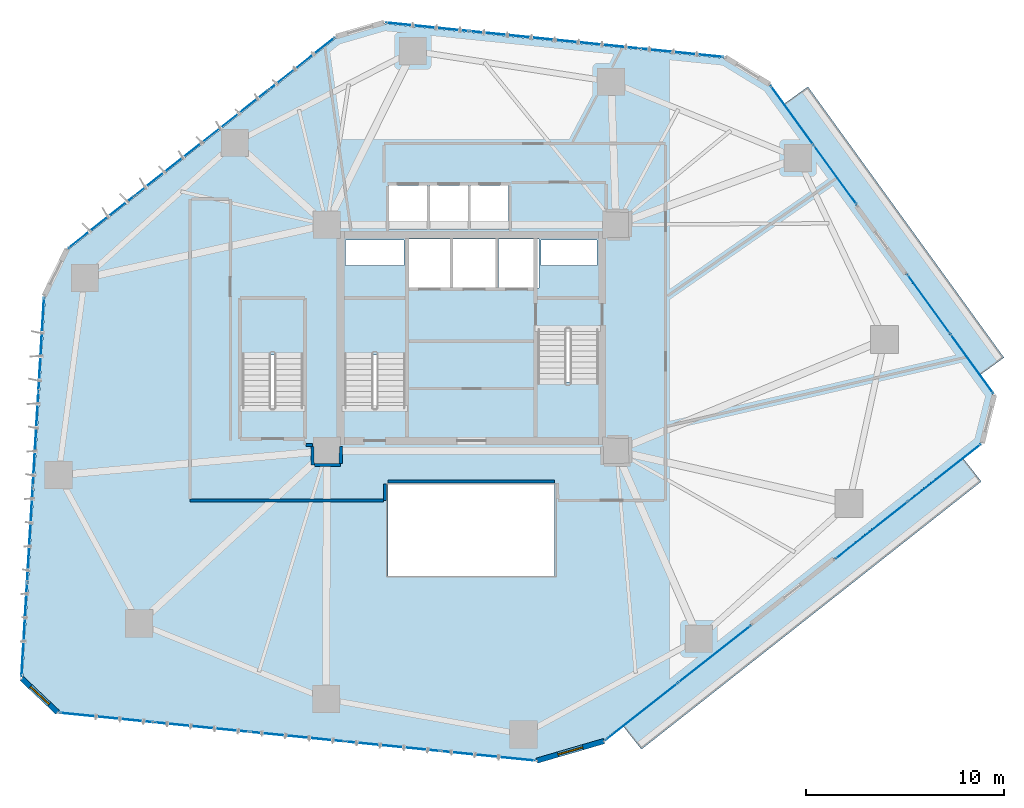
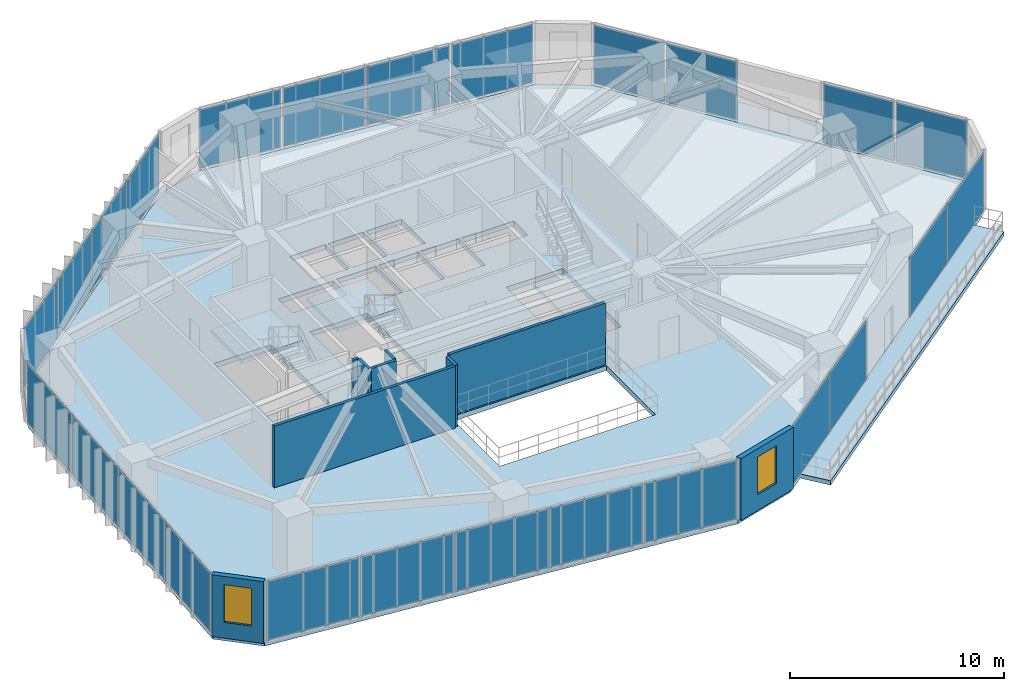
# One storey, part 18 of 24: 25 plates, 9 walls, 6 slabs, 2 windows, 2 openings, 11 elements without a shape of their own.
"""IFC4 building model written with IfcOpenShell, lengths in metres."""

from ifc_helpers import new_model, si_unit, direction, frame, frame_2d, origin, origin_2d, place, context, subcontext, project, spatial, polyline, rectangle, outline, extrude, source, transform, mapped, material, layer, layer_set, type_object, type_shapes, element, fill, aggregate, save


model = new_model("IFC4")

# Units and contexts
model_context = context("Model", 3, precision=1e-05, world=origin(), true_north=direction((0.0, 1.0)))
body_context = subcontext(model_context, "Body", "Model", "MODEL_VIEW")
ifc_project = project(units=[si_unit("LENGTHUNIT", "METRE"), si_unit("AREAUNIT", "SQUARE_METRE"), si_unit("VOLUMEUNIT", "CUBIC_METRE"), si_unit("PLANEANGLEUNIT", "RADIAN"), si_unit("MASSUNIT", "GRAM", prefix="KILO")], contexts=[model_context])

# Site, building, storey
site_placement = place(None, origin())
site = spatial("IfcSite", under=ifc_project, at=site_placement, CompositionType="ELEMENT")
building_placement = place(site_placement, origin())
building = spatial("IfcBuilding", under=site, at=building_placement, Name="Talar Marvaseh", CompositionType="ELEMENT")
storey_placement = place(building_placement, frame((0.0, 0.0, 73.39990234375)))
storey = spatial("IfcBuildingStorey", under=building, at=storey_placement, Name="L18", CompositionType="ELEMENT", Elevation=73.39990234375)

# Slabs
ifc_material_1 = material(Name="Concrete C40/50", Category="concrete")
ifc_layer_1 = layer(ifc_material_1, 0.2451171875)
ifc_layer_set_1 = layer_set([ifc_layer_1], Name="Concrete C40/50")
slab_type_1 = type_object("IfcSlabType", Name="External Cantilevered Planted Terrace Slab 245", PredefinedType="FLOOR", material=ifc_layer_set_1)
slab_1_placement = place(storey_placement, frame((0.0, 0.0, -0.244873046875)))
element("IfcSlab", 1, at=slab_1_placement, inside=storey, type_object=slab_type_1, Name="L18 Planted Balcony Terrace 1", PredefinedType="FLOOR", context=body_context, shape_type="SweptSolid", body=[
    extrude(outline(polyline([(41.716064453125, 42.957275390625), (51.60693359375, 29.29541015625), (52.862548828125, 30.204345703125), (42.9716796875, 43.8662109375), (41.716064453125, 42.957275390625)])), origin(), (0.0, 0.0, 1.0), 0.244873046875),
])
slab_2_placement = place(storey_placement, frame((0.0, 0.0, -0.244873046875)))
element("IfcSlab", 2, at=slab_2_placement, inside=storey, type_object=slab_type_1, Name="L18 Planted Balcony Terrace 2", PredefinedType="FLOOR", context=body_context, shape_type="SweptSolid", body=[
    extrude(outline(polyline([(50.760009765625, 25.172119140625), (33.616943359375, 11.662109375), (34.576416015625, 10.444580078125), (51.71923828125, 23.95458984375), (50.760009765625, 25.172119140625)])), origin(), (0.0, 0.0, 1.0), 0.244873046875),
])

# Stair, slab
stair_type = type_object("IfcStairType", Name="Reinforced Concrete Half-Turn Exit Stair Type B", PredefinedType="HALF_TURN_STAIR", material=ifc_material_1)
stair_1_placement = place(storey_placement, origin())
stair_1 = element("IfcStair", 3, at=stair_1_placement, inside=storey, type_object=stair_type, Name="L18 Tower West Core Exit Stair", PredefinedType="HALF_TURN_STAIR")
ifc_layer_2 = layer(ifc_material_1, 0.199951171875)
ifc_layer_set_2 = layer_set([ifc_layer_2], Name="Concrete C40/50")
slab_type_2 = type_object("IfcSlabType", Name="Reinforced Concrete Stair Half-Landing Slab 200", PredefinedType="LANDING", material=ifc_layer_set_2)
slab_3_placement = place(storey_placement, frame((0.0, 0.0, 1.7001953125)))
slab_3 = element("IfcSlab", 4, at=slab_3_placement, type_object=slab_type_2, Name="ST-1 landing 1", PredefinedType="LANDING", context=body_context, shape_type="SweptSolid", body=[
    extrude(outline(polyline([(22.780029296875, 30.330078125), (22.780029296875, 33.219970703125), (19.47998046875, 33.219970703125), (19.47998046875, 30.330078125), (22.780029296875, 30.330078125)])), origin(), (0.0, 0.0, 1.0), 0.199951171875),
])
aggregate(stair_1, [slab_3])

stair_2_placement = place(storey_placement, origin())
stair_2 = element("IfcStair", 5, at=stair_2_placement, inside=storey, type_object=stair_type, Name="L18 Tower East Core Exit Stair", PredefinedType="HALF_TURN_STAIR")
slab_4_placement = place(storey_placement, frame((0.0, 0.0, 1.7001953125)))
slab_4 = element("IfcSlab", 6, at=slab_4_placement, type_object=slab_type_2, Name="ST-2 landing 1", PredefinedType="LANDING", context=body_context, shape_type="SweptSolid", body=[
    extrude(outline(polyline([(29.219970703125, 28.969970703125), (29.219970703125, 26.080078125), (32.52001953125, 26.080078125), (32.52001953125, 28.969970703125), (29.219970703125, 28.969970703125)])), origin(), (0.0, 0.0, 1.0), 0.199951171875),
])
aggregate(stair_2, [slab_4])

stair_3_placement = place(storey_placement, origin())
stair_3 = element("IfcStair", 7, at=stair_3_placement, inside=storey, type_object=stair_type, Name="L18 Museum & Podium Auxiliary Exit Stair", PredefinedType="HALF_TURN_STAIR")
slab_5_placement = place(storey_placement, frame((0.0, 0.0, 1.7001953125)))
slab_5 = element("IfcSlab", 8, at=slab_5_placement, type_object=slab_type_2, Name="ST-3 landing 1", PredefinedType="LANDING", context=body_context, shape_type="SweptSolid", body=[
    extrude(outline(polyline([(17.6201171875, 30.330078125), (17.6201171875, 33.219970703125), (14.320068359375, 33.219970703125), (14.320068359375, 30.330078125), (17.6201171875, 30.330078125)])), origin(), (0.0, 0.0, 1.0), 0.199951171875),
])
aggregate(stair_3, [slab_5])

# Slab
ifc_layer_3 = layer(ifc_material_1, 0.280029296875)
ifc_layer_set_3 = layer_set([ifc_layer_3], Name="Concrete C40/50")
slab_type_3 = type_object("IfcSlabType", Name="Structural Suspended Floor Slab 280", PredefinedType="FLOOR", material=ifc_layer_set_3)
slab_6_placement = place(storey_placement, frame((0.0, 0.0, -0.27978515625)))
element("IfcSlab", 9, at=slab_6_placement, inside=storey, type_object=slab_type_3, Name="L18 Tower Floor Slab", PredefinedType="FLOOR", context=body_context, shape_type="SweptSolid", body=[
    extrude(outline(polyline([(5.174560546875, 12.353271484375), (3.367431640625, 14.0576171875), (4.51123046875, 33.2900390625), (5.666259765625, 35.6455078125), (19.198486328125, 46.33935546875), (21.614013671875, 47.04345703125), (38.772705078125, 45.295166015625), (41.012451171875, 43.92919921875), (52.310791015625, 28.323486328125), (51.702392578125, 25.914794921875), (32.67431640625, 10.919189453125), (29.27978515625, 9.9296875), (5.174560546875, 12.353271484375)]), holes=[polyline([(22.659912109375, 27.64990234375), (22.659912109375, 33.10009765625), (19.60009765625, 33.10009765625), (19.60009765625, 27.64990234375), (22.659912109375, 27.64990234375)]), polyline([(29.340087890625, 31.64990234375), (29.340087890625, 26.199951171875), (32.39990234375, 26.199951171875), (32.39990234375, 31.64990234375), (29.340087890625, 31.64990234375)]), polyline([(17.5, 27.64990234375), (17.5, 33.10009765625), (14.43994140625, 33.10009765625), (14.43994140625, 27.64990234375), (17.5, 27.64990234375)]), polyline([(22.800048828125, 33.719970703125), (24.93994140625, 33.719970703125), (24.93994140625, 36.179931640625), (22.800048828125, 36.179931640625), (22.800048828125, 33.719970703125)]), polyline([(25.080078125, 33.719970703125), (27.219970703125, 33.719970703125), (27.219970703125, 36.179931640625), (25.080078125, 36.179931640625), (25.080078125, 33.719970703125)]), polyline([(27.360107421875, 33.719970703125), (29.39990234375, 33.719970703125), (29.39990234375, 36.179931640625), (27.360107421875, 36.179931640625), (27.360107421875, 33.719970703125)]), polyline([(21.840087890625, 36.659912109375), (23.760009765625, 36.659912109375), (23.760009765625, 38.8798828125), (21.840087890625, 38.8798828125), (21.840087890625, 36.659912109375)]), polyline([(23.89990234375, 36.659912109375), (25.820068359375, 36.659912109375), (25.820068359375, 38.8798828125), (23.89990234375, 38.8798828125), (23.89990234375, 36.659912109375)]), polyline([(25.9599609375, 36.659912109375), (27.8798828125, 36.659912109375), (27.8798828125, 38.8798828125), (25.9599609375, 38.8798828125), (25.9599609375, 36.659912109375)]), polyline([(19.659912109375, 34.840087890625), (22.60009765625, 34.840087890625), (22.60009765625, 36.139892578125), (19.659912109375, 36.139892578125), (19.659912109375, 34.840087890625)]), polyline([(29.52001953125, 34.840087890625), (32.340087890625, 34.840087890625), (32.340087890625, 36.139892578125), (29.52001953125, 36.139892578125), (29.52001953125, 34.840087890625)]), polyline([(21.800048828125, 19.199951171875), (30.199951171875, 19.199951171875), (30.199951171875, 23.800048828125), (21.800048828125, 23.800048828125), (21.800048828125, 19.199951171875)])]), origin(), (0.0, 0.0, 1.0), 0.27978515625),
])

# Curtain wall, plates
ifc_material_2 = material(Name="Architectural Aluminium", Category="aluminium")
ifc_layer_4 = layer(ifc_material_2, 0.219970703125)
ifc_layer_set_4 = layer_set([ifc_layer_4], Name="Architectural Aluminium")
curtain_wall_type = type_object("IfcCurtainWallType", Name="Unitised Low-E Museum Curtain Wall Z1", PredefinedType="NOTDEFINED", material=ifc_layer_set_4)
curtain_wall_1_placement = place(storey_placement, origin())
curtain_wall_1 = element("IfcCurtainWall", 10, at=curtain_wall_1_placement, inside=storey, type_object=curtain_wall_type, Name="L18 Unitised Low-E Museum Curtain Wall Z1", PredefinedType="NOTDEFINED")
ifc_material_3 = material(Name="Laminated Low-E Solar Glass", Category="glass")
ifc_layer_5 = layer(ifc_material_3, 0.028076171875)
ifc_layer_set_5 = layer_set([ifc_layer_5], Name="Laminated Low-E Solar Glass")
plate_type = type_object("IfcPlateType", Name="Double-Glazed Low-E Vision Curtain Panel 28", PredefinedType="CURTAIN_PANEL", material=ifc_layer_set_5)
shared_shape_1 = source(origin(), body_context, "Body", "SweptSolid", [
    extrude(rectangle(XDim=4.696533203125, YDim=0.028076171875, at=origin_2d()), origin(), (0.0, 0.0, 1.0), 3.3701171875),
])
plate_1_placement = place(storey_placement, frame((3.45166015625, 16.4853515625, 0.074951171875), z_axis=(0.0, 0.0, 1.0), x_axis=(0.059372830241, 0.99823587745, 0.0)))
plate_1 = element("IfcPlate", 11, at=plate_1_placement, type_object=plate_type, Name="CW-Z1 panel 1.1", PredefinedType="CURTAIN_PANEL", context=body_context, shape_type="MappedRepresentation", body=[
    mapped(shared_shape_1, transform((0.0, 0.0, 0.0), x_axis=(1.0, 0.0, 0.0), y_axis=(0.0, 1.0, 0.0), z_axis=(0.0, 0.0, 1.0), scale=1.0)),
])
plate_2_placement = place(storey_placement, frame((4.30712890625, 30.86962890625, 0.074951171875), z_axis=(0.0, 0.0, 1.0), x_axis=(0.059372830241, 0.99823587745, 0.0)))
plate_2 = element("IfcPlate", 12, at=plate_2_placement, type_object=plate_type, Name="CW-Z1 panel 4.1", PredefinedType="CURTAIN_PANEL", context=body_context, shape_type="MappedRepresentation", body=[
    mapped(shared_shape_1, transform((0.0, 0.0, 0.0), x_axis=(1.0, 0.0, 0.0), y_axis=(0.0, 1.0, 0.0), z_axis=(0.0, 0.0, 1.0), scale=1.0)),
])
shared_shape_2 = source(origin(), body_context, "Body", "SweptSolid", [
    extrude(rectangle(XDim=4.736572265625, YDim=0.028076171875, at=origin_2d()), origin(), (0.0, 0.0, 1.0), 3.3701171875),
])
plate_3_placement = place(storey_placement, frame((3.736572265625, 21.2734375, 0.074951171875), z_axis=(0.0, 0.0, 1.0), x_axis=(0.059372830241, 0.99823587745, 0.0)))
plate_3 = element("IfcPlate", 13, at=plate_3_placement, type_object=plate_type, Name="CW-Z1 panel 2.1", PredefinedType="CURTAIN_PANEL", context=body_context, shape_type="MappedRepresentation", body=[
    mapped(shared_shape_2, transform((0.0, 0.0, 0.0), x_axis=(1.0, 0.0, 0.0), y_axis=(0.0, 1.0, 0.0), z_axis=(0.0, 0.0, 1.0), scale=1.0)),
])
plate_4_placement = place(storey_placement, frame((4.0224609375, 26.08154296875, 0.074951171875), z_axis=(0.0, 0.0, 1.0), x_axis=(0.059372830241, 0.99823587745, 0.0)))
plate_4 = element("IfcPlate", 14, at=plate_4_placement, type_object=plate_type, Name="CW-Z1 panel 3.1", PredefinedType="CURTAIN_PANEL", context=body_context, shape_type="MappedRepresentation", body=[
    mapped(shared_shape_2, transform((0.0, 0.0, 0.0), x_axis=(1.0, 0.0, 0.0), y_axis=(0.0, 1.0, 0.0), z_axis=(0.0, 0.0, 1.0), scale=1.0)),
])
aggregate(curtain_wall_1, [plate_1, plate_3, plate_4, plate_2])

curtain_wall_2_placement = place(storey_placement, origin())
curtain_wall_2 = element("IfcCurtainWall", 15, at=curtain_wall_2_placement, inside=storey, type_object=curtain_wall_type, Name="L18 Unitised Low-E Museum Curtain Wall Z1", PredefinedType="NOTDEFINED")
shared_shape_3 = source(origin(), body_context, "Body", "SweptSolid", [
    extrude(rectangle(XDim=4.19189453125, YDim=0.028076171875, at=origin_2d()), origin(), (0.0, 0.0, 1.0), 3.3701171875),
])
plate_5_placement = place(storey_placement, frame((7.33642578125, 37.041748046875, 0.074951171875), z_axis=(0.0, 0.0, 1.0), x_axis=(0.784584220857, 0.620022257974, 0.0)))
plate_5 = element("IfcPlate", 16, at=plate_5_placement, type_object=plate_type, Name="CW-Z1 panel 1.1", PredefinedType="CURTAIN_PANEL", context=body_context, shape_type="MappedRepresentation", body=[
    mapped(shared_shape_3, transform((0.0, 0.0, 0.0), x_axis=(1.0, 0.0, 0.0), y_axis=(0.0, 1.0, 0.0), z_axis=(0.0, 0.0, 1.0), scale=1.0)),
])
plate_6_placement = place(storey_placement, frame((17.4541015625, 45.037353515625, 0.074951171875), z_axis=(0.0, 0.0, 1.0), x_axis=(0.784584220857, 0.620022257974, 0.0)))
plate_6 = element("IfcPlate", 17, at=plate_6_placement, type_object=plate_type, Name="CW-Z1 panel 4.1", PredefinedType="CURTAIN_PANEL", context=body_context, shape_type="MappedRepresentation", body=[
    mapped(shared_shape_3, transform((0.0, 0.0, 0.0), x_axis=(1.0, 0.0, 0.0), y_axis=(0.0, 1.0, 0.0), z_axis=(0.0, 0.0, 1.0), scale=1.0)),
])

curtain_wall_3_placement = place(storey_placement, origin())
curtain_wall_3 = element("IfcCurtainWall", 18, at=curtain_wall_3_placement, inside=storey, type_object=curtain_wall_type, Name="L18 Unitised Low-E Museum Curtain Wall Z1", PredefinedType="NOTDEFINED")
plate_7_placement = place(storey_placement, frame((23.784912109375, 46.882568359375, 0.074951171875), z_axis=(0.0, 0.0, 1.0), x_axis=(0.994849283498, -0.101365196802, 0.0)))
plate_7 = element("IfcPlate", 19, at=plate_7_placement, type_object=plate_type, Name="CW-Z1 panel 1.1", PredefinedType="CURTAIN_PANEL", context=body_context, shape_type="MappedRepresentation", body=[
    mapped(shared_shape_3, transform((0.0, 0.0, 0.0), x_axis=(1.0, 0.0, 0.0), y_axis=(0.0, 1.0, 0.0), z_axis=(0.0, 0.0, 1.0), scale=1.0)),
])
plate_8_placement = place(storey_placement, frame((36.614013671875, 45.575439453125, 0.074951171875), z_axis=(0.0, 0.0, 1.0), x_axis=(0.994849283498, -0.101365196802, 0.0)))
plate_8 = element("IfcPlate", 20, at=plate_8_placement, type_object=plate_type, Name="CW-Z1 panel 4.1", PredefinedType="CURTAIN_PANEL", context=body_context, shape_type="MappedRepresentation", body=[
    mapped(shared_shape_3, transform((0.0, 0.0, 0.0), x_axis=(1.0, 0.0, 0.0), y_axis=(0.0, 1.0, 0.0), z_axis=(0.0, 0.0, 1.0), scale=1.0)),
])

# Plate
shared_shape_4 = source(origin(), body_context, "Body", "SweptSolid", [
    extrude(rectangle(XDim=4.23193359375, YDim=0.028076171875, at=origin_2d()), origin(), (0.0, 0.0, 1.0), 3.3701171875),
])
plate_9_placement = place(storey_placement, frame((10.70361328125, 39.702880859375, 0.074951171875), z_axis=(0.0, 0.0, 1.0), x_axis=(0.784584220857, 0.620022257974, 0.0)))
plate_9 = element("IfcPlate", 21, at=plate_9_placement, type_object=plate_type, Name="CW-Z1 panel 2.1", PredefinedType="CURTAIN_PANEL", context=body_context, shape_type="MappedRepresentation", body=[
    mapped(shared_shape_4, transform((0.0, 0.0, 0.0), x_axis=(1.0, 0.0, 0.0), y_axis=(0.0, 1.0, 0.0), z_axis=(0.0, 0.0, 1.0), scale=1.0)),
])

plate_10_placement = place(storey_placement, frame((14.086669921875, 42.376220703125, 0.074951171875), z_axis=(0.0, 0.0, 1.0), x_axis=(0.784584220857, 0.620022257974, 0.0)))
plate_10 = element("IfcPlate", 22, at=plate_10_placement, type_object=plate_type, Name="CW-Z1 panel 3.1", PredefinedType="CURTAIN_PANEL", context=body_context, shape_type="MappedRepresentation", body=[
    mapped(shared_shape_4, transform((0.0, 0.0, 0.0), x_axis=(1.0, 0.0, 0.0), y_axis=(0.0, 1.0, 0.0), z_axis=(0.0, 0.0, 1.0), scale=1.0)),
])

aggregate(curtain_wall_2, [plate_5, plate_9, plate_10, plate_6])

plate_11_placement = place(storey_placement, frame((28.0546875, 46.447509765625, 0.074951171875), z_axis=(0.0, 0.0, 1.0), x_axis=(0.994849283498, -0.101365196802, 0.0)))
plate_11 = element("IfcPlate", 23, at=plate_11_placement, type_object=plate_type, Name="CW-Z1 panel 2.1", PredefinedType="CURTAIN_PANEL", context=body_context, shape_type="MappedRepresentation", body=[
    mapped(shared_shape_4, transform((0.0, 0.0, 0.0), x_axis=(1.0, 0.0, 0.0), y_axis=(0.0, 1.0, 0.0), z_axis=(0.0, 0.0, 1.0), scale=1.0)),
])

plate_12_placement = place(storey_placement, frame((32.34423828125, 46.010498046875, 0.074951171875), z_axis=(0.0, 0.0, 1.0), x_axis=(0.994849283498, -0.101365196802, 0.0)))
plate_12 = element("IfcPlate", 24, at=plate_12_placement, type_object=plate_type, Name="CW-Z1 panel 3.1", PredefinedType="CURTAIN_PANEL", context=body_context, shape_type="MappedRepresentation", body=[
    mapped(shared_shape_4, transform((0.0, 0.0, 0.0), x_axis=(1.0, 0.0, 0.0), y_axis=(0.0, 1.0, 0.0), z_axis=(0.0, 0.0, 1.0), scale=1.0)),
])

aggregate(curtain_wall_3, [plate_7, plate_11, plate_12, plate_8])

# Curtain wall, plates
curtain_wall_4_placement = place(storey_placement, origin())
curtain_wall_4 = element("IfcCurtainWall", 25, at=curtain_wall_4_placement, inside=storey, type_object=curtain_wall_type, Name="L18 Unitised Low-E Museum Curtain Wall Z1", PredefinedType="NOTDEFINED")
shared_shape_5 = source(origin(), body_context, "Body", "SweptSolid", [
    extrude(rectangle(XDim=4.725341796875, YDim=0.028076171875, at=origin_2d()), origin(), (0.0, 0.0, 1.0), 3.3701171875),
])
plate_13_placement = place(storey_placement, frame((26.84326171875, 10.114501953125, 0.074951171875), z_axis=(0.0, 0.0, 1.0), x_axis=(-0.994984002074, 0.100034172249, 0.0)))
plate_13 = element("IfcPlate", 26, at=plate_13_placement, type_object=plate_type, Name="CW-Z1 panel 1.1", PredefinedType="CURTAIN_PANEL", context=body_context, shape_type="MappedRepresentation", body=[
    mapped(shared_shape_5, transform((0.0, 0.0, 0.0), x_axis=(1.0, 0.0, 0.0), y_axis=(0.0, 1.0, 0.0), z_axis=(0.0, 0.0, 1.0), scale=1.0)),
])
plate_14_placement = place(storey_placement, frame((7.598876953125, 12.04931640625, 0.074951171875), z_axis=(0.0, 0.0, 1.0), x_axis=(-0.994984002074, 0.100034172249, 0.0)))
plate_14 = element("IfcPlate", 27, at=plate_14_placement, type_object=plate_type, Name="CW-Z1 panel 5.1", PredefinedType="CURTAIN_PANEL", context=body_context, shape_type="MappedRepresentation", body=[
    mapped(shared_shape_5, transform((0.0, 0.0, 0.0), x_axis=(1.0, 0.0, 0.0), y_axis=(0.0, 1.0, 0.0), z_axis=(0.0, 0.0, 1.0), scale=1.0)),
])
shared_shape_6 = source(origin(), body_context, "Body", "SweptSolid", [
    extrude(rectangle(XDim=4.765380859375, YDim=0.028076171875, at=origin_2d()), origin(), (0.0, 0.0, 1.0), 3.3701171875),
])
plate_15_placement = place(storey_placement, frame((22.042236328125, 10.59716796875, 0.074951171875), z_axis=(0.0, 0.0, 1.0), x_axis=(-0.994984002074, 0.100034172249, 0.0)))
plate_15 = element("IfcPlate", 28, at=plate_15_placement, type_object=plate_type, Name="CW-Z1 panel 2.1", PredefinedType="CURTAIN_PANEL", context=body_context, shape_type="MappedRepresentation", body=[
    mapped(shared_shape_6, transform((0.0, 0.0, 0.0), x_axis=(1.0, 0.0, 0.0), y_axis=(0.0, 1.0, 0.0), z_axis=(0.0, 0.0, 1.0), scale=1.0)),
])
plate_16_placement = place(storey_placement, frame((17.22119140625, 11.081787109375, 0.074951171875), z_axis=(0.0, 0.0, 1.0), x_axis=(-0.994984002074, 0.100034172249, 0.0)))
plate_16 = element("IfcPlate", 29, at=plate_16_placement, type_object=plate_type, Name="CW-Z1 panel 3.1", PredefinedType="CURTAIN_PANEL", context=body_context, shape_type="MappedRepresentation", body=[
    mapped(shared_shape_6, transform((0.0, 0.0, 0.0), x_axis=(1.0, 0.0, 0.0), y_axis=(0.0, 1.0, 0.0), z_axis=(0.0, 0.0, 1.0), scale=1.0)),
])
plate_17_placement = place(storey_placement, frame((12.400146484375, 11.566650390625, 0.074951171875), z_axis=(0.0, 0.0, 1.0), x_axis=(-0.994984002074, 0.100034172249, 0.0)))
plate_17 = element("IfcPlate", 30, at=plate_17_placement, type_object=plate_type, Name="CW-Z1 panel 4.1", PredefinedType="CURTAIN_PANEL", context=body_context, shape_type="MappedRepresentation", body=[
    mapped(shared_shape_6, transform((0.0, 0.0, 0.0), x_axis=(1.0, 0.0, 0.0), y_axis=(0.0, 1.0, 0.0), z_axis=(0.0, 0.0, 1.0), scale=1.0)),
])
aggregate(curtain_wall_4, [plate_13, plate_15, plate_16, plate_17, plate_14])

curtain_wall_5_placement = place(storey_placement, origin())
curtain_wall_5 = element("IfcCurtainWall", 31, at=curtain_wall_5_placement, inside=storey, type_object=curtain_wall_type, Name="L18 Unitised Low-E Museum Curtain Wall Z1", PredefinedType="NOTDEFINED")
shared_shape_7 = source(origin(), body_context, "Body", "SweptSolid", [
    extrude(rectangle(XDim=3.636962890625, YDim=0.028076171875, at=origin_2d()), origin(), (0.0, 0.0, 1.0), 3.3701171875),
])
plate_18_placement = place(storey_placement, frame((42.17431640625, 42.426513671875, 0.074951171875), z_axis=(0.0, 0.0, 1.0), x_axis=(0.586420696458, -0.810006646124, 0.0)))
plate_18 = element("IfcPlate", 32, at=plate_18_placement, type_object=plate_type, Name="CW-Z1 panel 1.1", PredefinedType="CURTAIN_PANEL", context=body_context, shape_type="MappedRepresentation", body=[
    mapped(shared_shape_7, transform((0.0, 0.0, 0.0), x_axis=(1.0, 0.0, 0.0), y_axis=(0.0, 1.0, 0.0), z_axis=(0.0, 0.0, 1.0), scale=1.0)),
])
plate_19_placement = place(storey_placement, frame((44.35400390625, 39.415771484375, 0.074951171875), z_axis=(0.0, 0.0, 1.0), x_axis=(0.586420696458, -0.810006646124, 0.0)))
plate_19 = element("IfcPlate", 33, at=plate_19_placement, type_object=plate_type, Name="CW-Z1 panel 2.1", PredefinedType="CURTAIN_PANEL", context=body_context, shape_type="MappedRepresentation", body=[
    mapped(shared_shape_7, transform((0.0, 0.0, 0.0), x_axis=(1.0, 0.0, 0.0), y_axis=(0.0, 1.0, 0.0), z_axis=(0.0, 0.0, 1.0), scale=1.0)),
])
aggregate(curtain_wall_5, [plate_18, plate_19])

curtain_wall_6_placement = place(storey_placement, origin())
curtain_wall_6 = element("IfcCurtainWall", 34, at=curtain_wall_6_placement, inside=storey, type_object=curtain_wall_type, Name="L18 Unitised Low-E Museum Curtain Wall Z1", PredefinedType="NOTDEFINED")
plate_20_placement = place(storey_placement, frame((49.06640625, 32.9072265625, 0.074951171875), z_axis=(0.0, 0.0, 1.0), x_axis=(0.586420696458, -0.810006646124, 0.0)))
plate_20 = element("IfcPlate", 35, at=plate_20_placement, type_object=plate_type, Name="CW-Z1 panel 1.1", PredefinedType="CURTAIN_PANEL", context=body_context, shape_type="MappedRepresentation", body=[
    mapped(shared_shape_7, transform((0.0, 0.0, 0.0), x_axis=(1.0, 0.0, 0.0), y_axis=(0.0, 1.0, 0.0), z_axis=(0.0, 0.0, 1.0), scale=1.0)),
])
plate_21_placement = place(storey_placement, frame((51.24609375, 29.896484375, 0.074951171875), z_axis=(0.0, 0.0, 1.0), x_axis=(0.586420696458, -0.810006646124, 0.0)))
plate_21 = element("IfcPlate", 36, at=plate_21_placement, type_object=plate_type, Name="CW-Z1 panel 2.1", PredefinedType="CURTAIN_PANEL", context=body_context, shape_type="MappedRepresentation", body=[
    mapped(shared_shape_7, transform((0.0, 0.0, 0.0), x_axis=(1.0, 0.0, 0.0), y_axis=(0.0, 1.0, 0.0), z_axis=(0.0, 0.0, 1.0), scale=1.0)),
])
aggregate(curtain_wall_6, [plate_20, plate_21])

curtain_wall_7_placement = place(storey_placement, origin())
curtain_wall_7 = element("IfcCurtainWall", 37, at=curtain_wall_7_placement, inside=storey, type_object=curtain_wall_type, Name="L18 Unitised Low-E Museum Curtain Wall Z1", PredefinedType="NOTDEFINED")
shared_shape_8 = source(origin(), body_context, "Body", "SweptSolid", [
    extrude(rectangle(XDim=4.604248046875, YDim=0.028076171875, at=origin_2d()), origin(), (0.0, 0.0, 1.0), 3.3701171875),
])
type_shapes(plate_type, [shared_shape_1, shared_shape_2, shared_shape_3, shared_shape_4, shared_shape_5, shared_shape_6, shared_shape_7, shared_shape_8])
plate_22_placement = place(storey_placement, frame((49.86865234375, 24.393310546875, 0.074951171875), z_axis=(0.0, 0.0, 1.0), x_axis=(-0.785412932023, -0.618972153017, 0.0)))
plate_22 = element("IfcPlate", 38, at=plate_22_placement, type_object=plate_type, Name="CW-Z1 panel 1.1", PredefinedType="CURTAIN_PANEL", context=body_context, shape_type="MappedRepresentation", body=[
    mapped(shared_shape_8, transform((0.0, 0.0, 0.0), x_axis=(1.0, 0.0, 0.0), y_axis=(0.0, 1.0, 0.0), z_axis=(0.0, 0.0, 1.0), scale=1.0)),
])
plate_23_placement = place(storey_placement, frame((46.189453125, 21.493896484375, 0.074951171875), z_axis=(0.0, 0.0, 1.0), x_axis=(-0.785412932023, -0.618972153017, 0.0)))
plate_23 = element("IfcPlate", 39, at=plate_23_placement, type_object=plate_type, Name="CW-Z1 panel 2.1", PredefinedType="CURTAIN_PANEL", context=body_context, shape_type="MappedRepresentation", body=[
    mapped(shared_shape_8, transform((0.0, 0.0, 0.0), x_axis=(1.0, 0.0, 0.0), y_axis=(0.0, 1.0, 0.0), z_axis=(0.0, 0.0, 1.0), scale=1.0)),
])
aggregate(curtain_wall_7, [plate_22, plate_23])

curtain_wall_8_placement = place(storey_placement, origin())
curtain_wall_8 = element("IfcCurtainWall", 40, at=curtain_wall_8_placement, inside=storey, type_object=curtain_wall_type, Name="L18 Unitised Low-E Museum Curtain Wall Z1", PredefinedType="NOTDEFINED")
plate_24_placement = place(storey_placement, frame((38.261474609375, 15.24609375, 0.074951171875), z_axis=(0.0, 0.0, 1.0), x_axis=(-0.785412932023, -0.618972153017, 0.0)))
plate_24 = element("IfcPlate", 41, at=plate_24_placement, type_object=plate_type, Name="CW-Z1 panel 1.1", PredefinedType="CURTAIN_PANEL", context=body_context, shape_type="MappedRepresentation", body=[
    mapped(shared_shape_8, transform((0.0, 0.0, 0.0), x_axis=(1.0, 0.0, 0.0), y_axis=(0.0, 1.0, 0.0), z_axis=(0.0, 0.0, 1.0), scale=1.0)),
])
plate_25_placement = place(storey_placement, frame((34.58251953125, 12.3466796875, 0.074951171875), z_axis=(0.0, 0.0, 1.0), x_axis=(-0.785412932023, -0.618972153017, 0.0)))
plate_25 = element("IfcPlate", 42, at=plate_25_placement, type_object=plate_type, Name="CW-Z1 panel 2.1", PredefinedType="CURTAIN_PANEL", context=body_context, shape_type="MappedRepresentation", body=[
    mapped(shared_shape_8, transform((0.0, 0.0, 0.0), x_axis=(1.0, 0.0, 0.0), y_axis=(0.0, 1.0, 0.0), z_axis=(0.0, 0.0, 1.0), scale=1.0)),
])
aggregate(curtain_wall_8, [plate_24, plate_25])

# Wall, opening, window
ifc_material_4 = material(Name="Precast concrete C45/55", Category="concrete")
ifc_layer_6 = layer(ifc_material_4, 0.27001953125)
ifc_layer_set_6 = layer_set([ifc_layer_6], Name="Precast concrete C45/55")
wall_type_1 = type_object("IfcWallType", Name="Chamfered Hexagonal Corner Pier Wall Z1 270", PredefinedType="SOLIDWALL", material=ifc_layer_set_6)
wall_1_placement = place(storey_placement, frame((5.13330078125, 12.309814453125, 0.0), z_axis=(0.0, 0.0, 1.0), x_axis=(-0.727492687208, 0.686115434937, 0.0)))
wall_1 = element("IfcWall", 43, at=wall_1_placement, inside=storey, type_object=wall_type_1, Name="L18 Chamfered Corner Limestone Pier 1", PredefinedType="SOLIDWALL", context=body_context, shape_type="SweptSolid", body=[
    extrude(rectangle(XDim=2.484130859375, YDim=0.27001953125, at=frame_2d((1.2421875, 0.0))), origin(), (0.0, 0.0, 1.0), 3.52001953125),
])
opening_1_placement = place(wall_1_placement, frame((0.592041015625, 0.0, 0.89990234375)))
opening_1 = element("IfcOpeningElement", 44, at=opening_1_placement, cuts=wall_1, Name="Opening WN-CHM13", PredefinedType="OPENING", context=body_context, shape_type="SweptSolid", body=[
    extrude(rectangle(XDim=1.300048828125, YDim=2.14990234375, at=frame_2d((0.64990234375, 1.074951171875))), frame((0.0, 0.14501953125, 0.0), z_axis=(0.0, -1.0, 0.0), x_axis=(1.0, 0.0, 0.0)), (0.0, 0.0, 1.0), 0.2900390625),
])
window_type = type_object("IfcWindowType", Name="Zone 1 Chamfered Corner Slot Window 1300x2150", PartitioningType="SINGLE_PANEL", PredefinedType="WINDOW", material=ifc_material_3)
shared_shape_9 = source(origin(), body_context, "Body", "SweptSolid", [
    extrude(rectangle(XDim=1.300048828125, YDim=2.14990234375, at=frame_2d((0.64990234375, 1.074951171875))), frame((0.0, 0.030029296875, 0.0), z_axis=(0.0, -1.0, 0.0), x_axis=(1.0, 0.0, 0.0)), (0.0, 0.0, 1.0), 0.06005859375),
])
type_shapes(window_type, [shared_shape_9])
window_1_placement = place(opening_1_placement, origin())
window_1 = element("IfcWindow", 45, at=window_1_placement, inside=storey, type_object=window_type, Name="L18 Chamfered Corner Slot Window", OverallHeight=2.14990234375, OverallWidth=1.300048828125, PartitioningType="SINGLE_PANEL", PredefinedType="WINDOW", context=body_context, shape_type="MappedRepresentation", body=[
    mapped(shared_shape_9, transform((0.0, 0.0, 0.0), x_axis=(1.0, 0.0, 0.0), y_axis=(0.0, 1.0, 0.0), z_axis=(0.0, 0.0, 1.0), scale=1.0)),
])
fill(opening_1, window_1)

wall_2_placement = place(storey_placement, frame((32.691162109375, 10.86181640625, 0.0), z_axis=(0.0, 0.0, 1.0), x_axis=(-0.960048702504, -0.279832965929, 0.0)))
wall_2 = element("IfcWall", 46, at=wall_2_placement, inside=storey, type_object=wall_type_1, Name="L18 Chamfered Corner Limestone Pier 6", PredefinedType="SOLIDWALL", context=body_context, shape_type="SweptSolid", body=[
    extrude(rectangle(XDim=3.5361328125, YDim=0.27001953125, at=frame_2d((1.76806640625, 0.0))), origin(), (0.0, 0.0, 1.0), 3.52001953125),
])
opening_2_placement = place(wall_2_placement, frame((1.117919921875, 0.0, 0.89990234375)))
opening_2 = element("IfcOpeningElement", 47, at=opening_2_placement, cuts=wall_2, Name="Opening WN-CHM13", PredefinedType="OPENING", context=body_context, shape_type="SweptSolid", body=[
    extrude(rectangle(XDim=1.300048828125, YDim=2.14990234375, at=frame_2d((0.64990234375, 1.074951171875))), frame((0.0, 0.14501953125, 0.0), z_axis=(0.0, -1.0, 0.0), x_axis=(1.0, 0.0, 0.0)), (0.0, 0.0, 1.0), 0.2900390625),
])
window_2_placement = place(opening_2_placement, origin())
window_2 = element("IfcWindow", 48, at=window_2_placement, inside=storey, type_object=window_type, Name="L18 Chamfered Corner Slot Window", OverallHeight=2.14990234375, OverallWidth=1.300048828125, PartitioningType="SINGLE_PANEL", PredefinedType="WINDOW", context=body_context, shape_type="MappedRepresentation", body=[
    mapped(shared_shape_9, transform((0.0, 0.0, 0.0), x_axis=(1.0, 0.0, 0.0), y_axis=(0.0, 1.0, 0.0), z_axis=(0.0, 0.0, 1.0), scale=1.0)),
])
fill(opening_2, window_2)

# Walls
ifc_material_5 = material(Name="Gypsum Board Partition Assembly")
ifc_layer_7 = layer(ifc_material_5, 0.155029296875)
ifc_layer_set_7 = layer_set([ifc_layer_7], Name="Gypsum Board Partition Assembly")
wall_type_2 = type_object("IfcWallType", Name="Corridor Fire-Rated Acoustic Partition 155", PredefinedType="PARTITIONING", material=ifc_layer_set_7)
wall_3_placement = place(storey_placement, frame((30.199951171875, 23.9599609375, 0.0), z_axis=(0.0, 0.0, 1.0), x_axis=(-0.999999996213, -8.7029677e-05, 0.0)))
element("IfcWall", 49, at=wall_3_placement, inside=storey, type_object=wall_type_2, Name="L18 Interior Partition Wall", PredefinedType="PARTITIONING", context=body_context, shape_type="SweptSolid", body=[
    extrude(rectangle(XDim=8.415771484375, YDim=0.155029296875, at=frame_2d((4.2080078125, 0.0))), origin(), (0.0, 0.0, 1.0), 3.52001953125),
])
wall_4_placement = place(storey_placement, frame((21.64306640625, 23.831298828125, 0.0), z_axis=(0.0, 0.0, 1.0), x_axis=(-0.003817887006, -0.999992711843, 0.0)))
element("IfcWall", 50, at=wall_4_placement, inside=storey, type_object=wall_type_2, Name="L18 Interior Partition Wall", PredefinedType="PARTITIONING", context=body_context, shape_type="SweptSolid", body=[
    extrude(rectangle(XDim=0.831298828125, YDim=0.155029296875, at=frame_2d((0.41552734375, 0.0))), origin(), (0.0, 0.0, 1.0), 3.52001953125),
])
wall_5_placement = place(storey_placement, frame((21.556396484375, 23.0, 0.0), z_axis=(0.0, 0.0, 1.0), x_axis=(-1.0, 0.0, 0.0)))
element("IfcWall", 51, at=wall_5_placement, inside=storey, type_object=wall_type_2, Name="L18 Interior Partition Wall", PredefinedType="PARTITIONING", context=body_context, shape_type="SweptSolid", body=[
    extrude(rectangle(XDim=9.75634765625, YDim=0.155029296875, at=frame_2d((4.878173828125, 0.0))), origin(), (0.0, 0.0, 1.0), 3.52001953125),
])
wall_6_placement = place(storey_placement, frame((17.666015625, 25.800048828125, 0.0), z_axis=(0.0, 0.0, 1.0), x_axis=(1.0, 0.0, 0.0)))
element("IfcWall", 52, at=wall_6_placement, inside=storey, type_object=wall_type_2, Name="L18 Interior Partition Wall", PredefinedType="PARTITIONING", context=body_context, shape_type="SweptSolid", body=[
    extrude(rectangle(XDim=0.319091796875, YDim=0.155029296875, at=frame_2d((0.15966796875, 0.0))), origin(), (0.0, 0.0, 1.0), 3.52001953125),
])
wall_7_placement = place(storey_placement, frame((17.986083984375, 25.716552734375, 0.0), z_axis=(0.0, 0.0, 1.0), x_axis=(0.013367088724, -0.999910656478, 0.0)))
element("IfcWall", 53, at=wall_7_placement, inside=storey, type_object=wall_type_2, Name="L18 Interior Partition Wall", PredefinedType="PARTITIONING", context=body_context, shape_type="SweptSolid", body=[
    extrude(rectangle(XDim=0.931396484375, YDim=0.155029296875, at=frame_2d((0.4658203125, 0.0))), origin(), (0.0, 0.0, 1.0), 3.52001953125),
])
wall_8_placement = place(storey_placement, frame((18.08203125, 24.78515625, 0.0), z_axis=(0.0, 0.0, 1.0), x_axis=(0.99999830547, 0.001840939443, 0.0)))
element("IfcWall", 54, at=wall_8_placement, inside=storey, type_object=wall_type_2, Name="L18 Interior Partition Wall", PredefinedType="PARTITIONING", context=body_context, shape_type="SweptSolid", body=[
    extrude(rectangle(XDim=1.326171875, YDim=0.155029296875, at=frame_2d((0.6630859375, 0.0))), origin(), (0.0, 0.0, 1.0), 3.52001953125),
])
wall_9_placement = place(storey_placement, frame((19.408935546875, 24.87109375, 0.0), z_axis=(0.0, 0.0, 1.0), x_axis=(0.007106130977, 0.999974751133, 0.0)))
element("IfcWall", 55, at=wall_9_placement, inside=storey, type_object=wall_type_2, Name="L18 Interior Partition Wall", PredefinedType="PARTITIONING", context=body_context, shape_type="SweptSolid", body=[
    extrude(rectangle(XDim=0.85888671875, YDim=0.155029296875, at=frame_2d((0.429443359375, 0.0))), origin(), (0.0, 0.0, 1.0), 3.52001953125),
])

save(model, "model.ifc")
